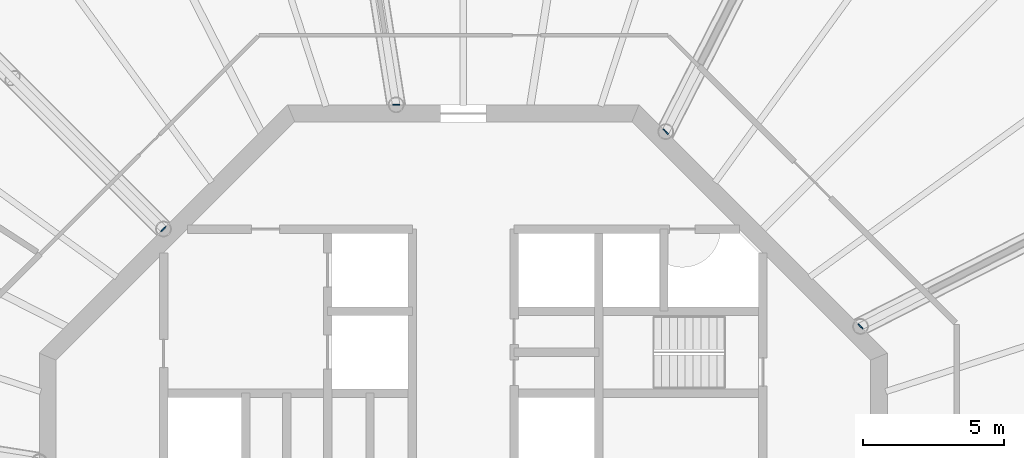
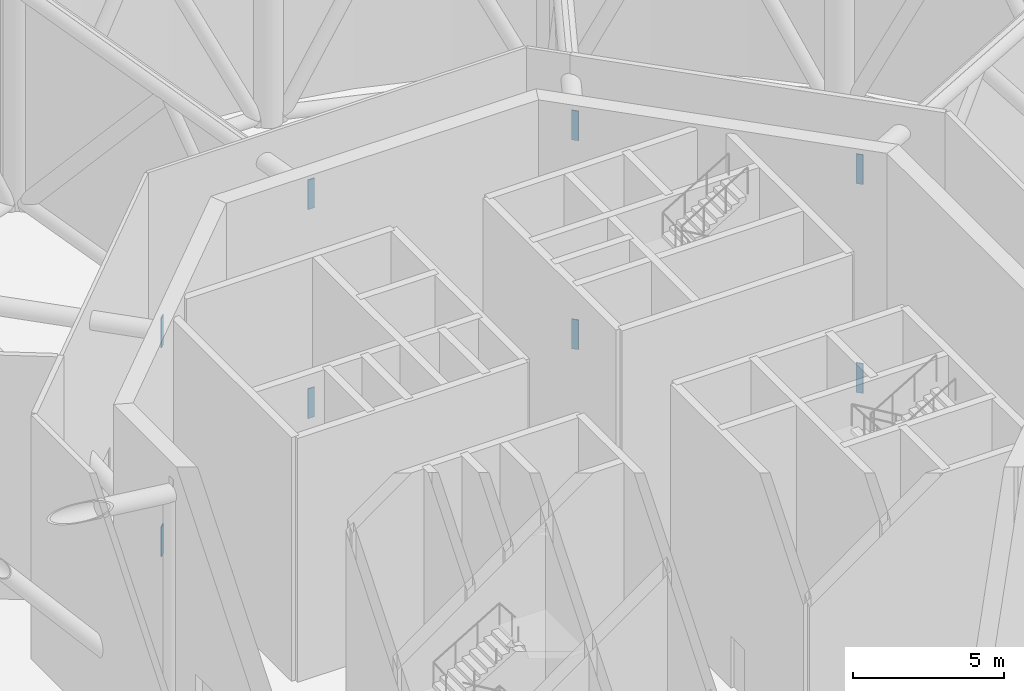
# One storey, part 11 of 23: 8 discrete accessories.
"""IFC4 building model written with IfcOpenShell, lengths in metres."""

from ifc_helpers import new_model, si_unit, direction, frame, origin, origin_2d, place, context, subcontext, project, spatial, rectangle, extrude, material, element, save


model = new_model("IFC4")

# Units and contexts
model_context = context("Model", 3, precision=1e-05, world=origin(), true_north=direction((0.0, 1.0)))
body_context = subcontext(model_context, "Body", "Model", "MODEL_VIEW")
ifc_project = project(units=[si_unit("LENGTHUNIT", "METRE"), si_unit("AREAUNIT", "SQUARE_METRE"), si_unit("VOLUMEUNIT", "CUBIC_METRE"), si_unit("PLANEANGLEUNIT", "RADIAN"), si_unit("MASSUNIT", "GRAM", prefix="KILO")], contexts=[model_context])

# Site, building, storey
site_placement = place(None, origin())
site = spatial("IfcSite", under=ifc_project, at=site_placement, CompositionType="ELEMENT")
building_placement = place(site_placement, origin())
building = spatial("IfcBuilding", under=site, at=building_placement, Name="Entoto Ring Tower", CompositionType="ELEMENT")
storey_placement = place(building_placement, frame((0.0, 0.0, 392.0)))
storey = spatial("IfcBuildingStorey", under=building, at=storey_placement, Name="L91", CompositionType="ELEMENT", Elevation=392.0)

# Discrete accessories
ifc_material = material(Name="Steel S355", Category="steel")
for number, where, z_axis, x_axis, name in (
    (1, (104.052978515625, 87.160400390625, -0.27001953125), (0.0, 0.0, 1.0), (0.707106781187, 0.707106781187, 0.0), "Embedded plate L91 bottom 01"),
    (2, (104.052978515625, 87.160400390625, 8.1669921875), (0.0, 0.0, 1.0), (0.707106781187, 0.707106781187, 0.0), "Embedded plate L91 top 01"),
    (3, (97.160400390625, 94.052978515625, -0.27001953125), (0.0, 0.0, 1.0), (0.707106781187, 0.707106781187, 0.0), "Embedded plate L91 bottom 02"),
    (4, (97.160400390625, 94.052978515625, 8.1669921875), (0.0, 0.0, 1.0), (0.707106781187, 0.707106781187, 0.0), "Embedded plate L91 top 02"),
    (5, (87.624267578125, 95.0, -0.27001953125), (0.0, 0.0, 1.0), (0.0, 1.0, 0.0), "Embedded plate L91 bottom 03"),
    (6, (87.624267578125, 95.0, 8.1669921875), (0.0, 0.0, 1.0), (0.0, 1.0, 0.0), "Embedded plate L91 top 03"),
    (7, (79.393310546875, 90.606689453125, -0.27001953125), (0.0, 0.0, 1.0), (-0.707106781187, 0.707106781187, 0.0), "Embedded plate L91 bottom 04"),
    (8, (79.393310546875, 90.606689453125, 8.1669921875), (0.0, 0.0, 1.0), (-0.707106781187, 0.707106781187, 0.0), "Embedded plate L91 top 04"),
):
    element("IfcDiscreteAccessory", number, at=place(storey_placement, frame(where, z_axis=z_axis, x_axis=x_axis)), inside=storey, material=ifc_material, Name=name, PredefinedType="ANCHORPLATE", context=body_context, shape_type="SweptSolid", body=[
        extrude(rectangle(XDim=0.0400390625, YDim=0.25, at=origin_2d()), origin(), (0.0, 0.0, 1.0), 1.199951171875),
    ])

save(model, "model.ifc")
